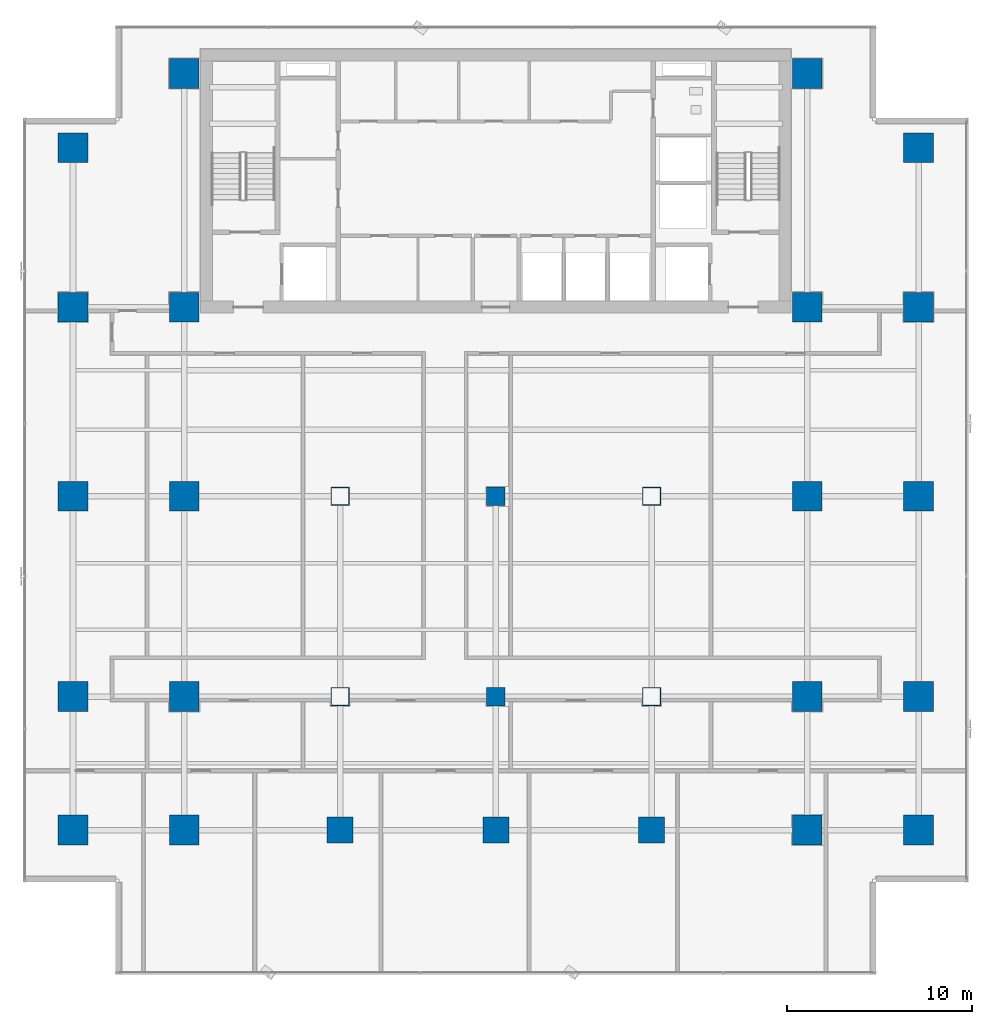
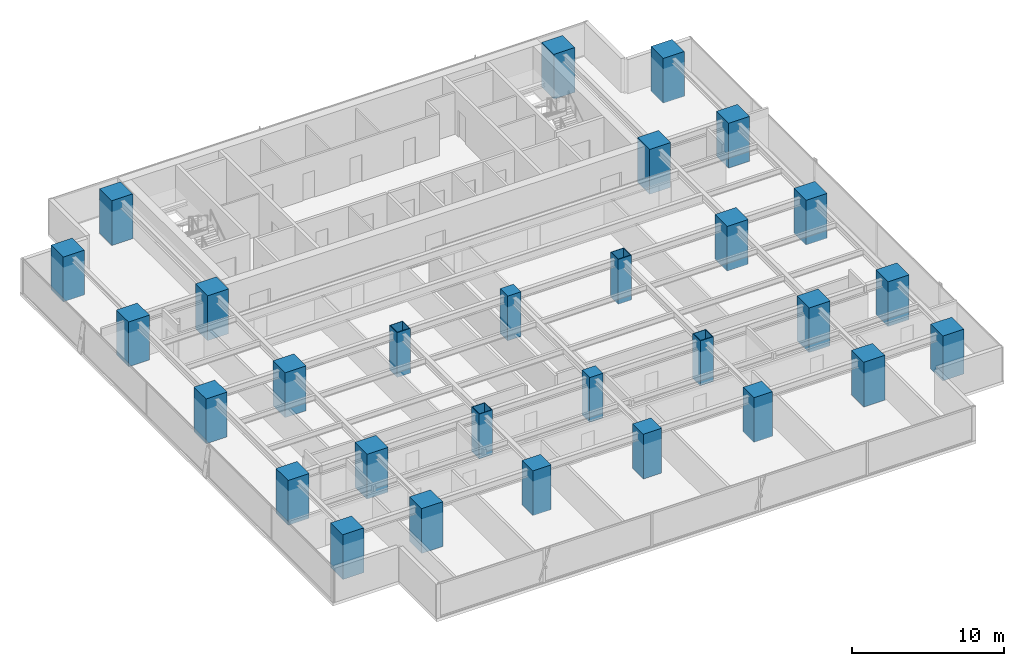
# One storey, part 1 of 36: 29 columns.
"""IFC4 building model written with IfcOpenShell, lengths in metres."""

import ifcopenshell
import ifcopenshell.guid

model = None  # the IFC model being written
_history = None  # IfcOwnerHistory: only IFC2X3 demands one
_inside = {}  # id of a spatial element -> (the spatial element, [elements in it])
_under = {}  # id of a project, library or spatial element -> (it, [spatial elements below it])
_declared = {}  # id of a project -> (the project, [libraries it declares])
_typed = {}  # id of a type object -> (the type object, [elements of that type])
_made_of = {}  # id of a material, layer set ... -> (it, [elements and type objects made of it])


def new_model(schema):
    """Start an empty IFC model of exactly this schema.

    Asked for "IFC4X3", IfcOpenShell would pick the latest addendum, in which some entities
    have other attributes; the version numbers below select the first issue.
    IFC2X3 requires an IfcOwnerHistory on every rooted entity: one is made here for all.
    """
    global model, _history
    if schema == "IFC4X3":
        model = ifcopenshell.file(schema_version=(4, 3, 0, 0))
    else:
        model = ifcopenshell.file(schema=schema)
    _inside.clear()
    _under.clear()
    _declared.clear()
    _typed.clear()
    _made_of.clear()
    _history = None
    if model.schema == "IFC2X3":
        org = make("IfcOrganization", Name="unknown")
        user = make(
            "IfcPersonAndOrganization",
            ThePerson=make("IfcPerson", FamilyName="unknown"),
            TheOrganization=org,
        )
        app = make(
            "IfcApplication",
            ApplicationDeveloper=org,
            Version="unknown",
            ApplicationFullName="unknown",
            ApplicationIdentifier="unknown",
        )
        _history = make(
            "IfcOwnerHistory",
            OwningUser=user,
            OwningApplication=app,
            ChangeAction="ADDED",
            CreationDate=0,
        )
    return model


def make(cls, **values):
    """One entity of the class cls with the attributes given. An attribute that is None is left unset."""
    return model.create_entity(
        cls, **{name: value for name, value in values.items() if value is not None}
    )


def rooted(cls, **values):
    """An entity with a GlobalId (a new one), such as an element, a storey or a relation."""
    return make(cls, GlobalId=ifcopenshell.guid.new(), OwnerHistory=_history, **values)


def si_unit(unit_type, name, prefix=None):
    """IfcSIUnit, for example si_unit("LENGTHUNIT", "METRE", prefix="MILLI")."""
    return make("IfcSIUnit", UnitType=unit_type, Prefix=prefix, Name=name)


def assignment(units):
    """IfcUnitAssignment: the units of a project."""
    return None if units is None else make("IfcUnitAssignment", Units=units)


def point(xyz):
    """IfcCartesianPoint."""
    return None if xyz is None else make("IfcCartesianPoint", Coordinates=xyz)


def direction(xyz):
    """IfcDirection."""
    return None if xyz is None else make("IfcDirection", DirectionRatios=xyz)


def frame(location, z_axis=None, x_axis=None):
    """IfcAxis2Placement3D, a coordinate frame: its origin and axes. An axis left out is left unset."""
    return make(
        "IfcAxis2Placement3D",
        Location=point(location),
        Axis=direction(z_axis),
        RefDirection=direction(x_axis),
    )


def frame_2d(location, x_axis=None):
    """IfcAxis2Placement2D, a coordinate frame in the plane: its origin and x axis."""
    return make(
        "IfcAxis2Placement2D", Location=point(location), RefDirection=direction(x_axis)
    )


def origin():
    """The frame at (0, 0, 0) with its axes left unset."""
    return frame((0.0, 0.0, 0.0))


def origin_2d():
    """The frame at (0, 0) in the plane with its x axis left unset."""
    return frame_2d((0.0, 0.0))


def place(relative_to, where):
    """IfcLocalPlacement: puts the frame where relative to a parent placement (None: the world)."""
    return make(
        "IfcLocalPlacement", PlacementRelTo=relative_to, RelativePlacement=where
    )


def context(
    kind, dimensions, precision=None, world=None, true_north=None, identifier=None
):
    """IfcGeometricRepresentationContext, for example the 3D "Model" context."""
    return make(
        "IfcGeometricRepresentationContext",
        ContextIdentifier=identifier,
        ContextType=kind,
        CoordinateSpaceDimension=dimensions,
        Precision=precision,
        WorldCoordinateSystem=world,
        TrueNorth=true_north,
    )


def subcontext(parent, identifier, kind, view, scale=None):
    """IfcGeometricRepresentationSubContext, for example "Body" below "Model"."""
    return make(
        "IfcGeometricRepresentationSubContext",
        ContextIdentifier=identifier,
        ContextType=kind,
        ParentContext=parent,
        TargetScale=scale,
        TargetView=view,
    )


def project(units=None, contexts=None):
    """IfcProject with its units and contexts."""
    return rooted(
        "IfcProject",
        Name="project",
        RepresentationContexts=contexts,
        UnitsInContext=assignment(units),
    )


def spatial(cls, under=None, at=None, **own):
    """A site, building, storey or space (cls), placed at a placement, below another one or the project."""
    s = rooted(cls, ObjectPlacement=at, **own)
    if under is not None:
        _under.setdefault(under.id(), (under, []))[1].append(s)
    return s


def profile(cls, at=None, kind="AREA", **sizes):
    """A parametric profile (cls). Its sizes go by their IFC names, for example OverallWidth=200.0."""
    return make(cls, ProfileType=kind, Position=at, **sizes)


def rectangle(**sizes):
    """IfcRectangleProfileDef."""
    return profile("IfcRectangleProfileDef", **sizes)


def hollow_rectangle(**sizes):
    """IfcRectangleHollowProfileDef."""
    return profile("IfcRectangleHollowProfileDef", **sizes)


def extrude(swept, where, along, depth):
    """IfcExtrudedAreaSolid: the profile swept, set in the frame where, extruded along a direction by depth."""
    return make(
        "IfcExtrudedAreaSolid",
        SweptArea=swept,
        Position=where,
        ExtrudedDirection=direction(along),
        Depth=depth,
    )


def shape(context_of_items, identifier, shape_type, items):
    """IfcShapeRepresentation: the items that make up one representation, for example the "Body"."""
    return make(
        "IfcShapeRepresentation",
        ContextOfItems=context_of_items,
        RepresentationIdentifier=identifier,
        RepresentationType=shape_type,
        Items=items,
    )


def source(mapping_origin, context_of_items, identifier, shape_type, items):
    """IfcRepresentationMap: a shape defined once, which mapped items show again and again."""
    return make(
        "IfcRepresentationMap",
        MappingOrigin=mapping_origin,
        MappedRepresentation=shape(context_of_items, identifier, shape_type, items),
    )


def transform(
    local_origin,
    x_axis=None,
    y_axis=None,
    z_axis=None,
    scale=None,
    scale2=None,
    scale3=None,
    uniform=True,
):
    """IfcCartesianTransformationOperator3D, or its non-uniform kind. x_axis, y_axis, z_axis: its Axis1, 2, 3."""
    if uniform:
        return make(
            "IfcCartesianTransformationOperator3D",
            Axis1=direction(x_axis),
            Axis2=direction(y_axis),
            LocalOrigin=point(local_origin),
            Scale=scale,
            Axis3=direction(z_axis),
        )
    return make(
        "IfcCartesianTransformationOperator3DnonUniform",
        Axis1=direction(x_axis),
        Axis2=direction(y_axis),
        LocalOrigin=point(local_origin),
        Scale=scale,
        Axis3=direction(z_axis),
        Scale2=scale2,
        Scale3=scale3,
    )


def mapped(mapping_source, mapping_target):
    """IfcMappedItem: shows the shape of a source again, moved by a transform."""
    return make(
        "IfcMappedItem", MappingSource=mapping_source, MappingTarget=mapping_target
    )


def material(Name=None, Category=None):
    """IfcMaterial."""
    return make("IfcMaterial", Name=Name, Category=Category)


def material_profile(
    of_material, cross_section, Name=None, Category=None, Priority=None
):
    """IfcMaterialProfile: a cross section and its material."""
    return make(
        "IfcMaterialProfile",
        Name=Name,
        Material=of_material,
        Profile=cross_section,
        Priority=Priority,
        Category=Category,
    )


def profile_set(profiles, Name=None, composite=None):
    """IfcMaterialProfileSet."""
    return make(
        "IfcMaterialProfileSet",
        Name=Name,
        MaterialProfiles=profiles,
        CompositeProfile=composite,
    )


def made_of(thing, what):
    """Note that an element or type object is made of a material, layer set ...; save() writes the relation."""
    if what is not None:
        _made_of.setdefault(what.id(), (what, []))[1].append(thing)
    return thing


def type_object(cls, material=None, **own):
    """A type object (cls), such as IfcWallType, which elements share."""
    return made_of(rooted(cls, **own), material)


def element(
    cls,
    number,
    at=None,
    inside=None,
    cuts=None,
    type_object=None,
    material=None,
    context=None,
    identifier="Body",
    shape_type=None,
    held_by="IfcProductDefinitionShape",
    body=None,
    shapes=None,
    **own,
):
    """One element of the class cls, such as IfcWall. Its Tag is "e" and its number.

    at: its placement. inside: the storey or other place that contains it. cuts: it is an
    opening in that element (IfcRelVoidsElement). A single representation is given by context,
    identifier, shape_type and body (its items); several are given by shapes. held_by: the class
    of the entity that holds the representations. save() writes the other relations.
    """
    e = rooted(cls, Tag="e%d" % number, ObjectPlacement=at, **own)
    if body is not None:
        shapes = [shape(context, identifier, shape_type, body)]
    if shapes is not None:
        e.Representation = make(held_by, Representations=shapes)
    if inside is not None:
        _inside.setdefault(inside.id(), (inside, []))[1].append(e)
    if cuts is not None:
        rooted(
            "IfcRelVoidsElement", RelatingBuildingElement=cuts, RelatedOpeningElement=e
        )
    if type_object is not None:
        _typed.setdefault(type_object.id(), (type_object, []))[1].append(e)
    return made_of(e, material)


def aggregate(whole, parts):
    """IfcRelAggregates: a whole, such as a stair, and the parts it consists of."""
    return rooted("IfcRelAggregates", RelatingObject=whole, RelatedObjects=parts)


def save(model, path):
    """Write the relations noted so far, then the file.

    IfcRelAggregates (storeys below a building ...), IfcRelContainedInSpatialStructure (elements
    in a storey), IfcRelDefinesByType, IfcRelAssociatesMaterial and IfcRelDeclares: one each for
    every whole, place, type object, material and project.
    """
    for whole, parts in _under.values():
        aggregate(whole, parts)
    for where, things in _inside.values():
        rooted(
            "IfcRelContainedInSpatialStructure",
            RelatedElements=things,
            RelatingStructure=where,
        )
    for kind, things in _typed.values():
        rooted("IfcRelDefinesByType", RelatedObjects=things, RelatingType=kind)
    for what, things in _made_of.values():
        rooted("IfcRelAssociatesMaterial", RelatedObjects=things, RelatingMaterial=what)
    for by, libraries in _declared.values():
        rooted("IfcRelDeclares", RelatingContext=by, RelatedDefinitions=libraries)
    model.write(path)


model = new_model("IFC4")

# Units and contexts
model_context = context("Model", 3, precision=1e-05, world=origin(), true_north=direction((0.0, 1.0)))
body_context = subcontext(model_context, "Body", "Model", "MODEL_VIEW")
ifc_project = project(units=[si_unit("LENGTHUNIT", "METRE"), si_unit("AREAUNIT", "SQUARE_METRE"), si_unit("VOLUMEUNIT", "CUBIC_METRE"), si_unit("PLANEANGLEUNIT", "RADIAN"), si_unit("MASSUNIT", "GRAM", prefix="KILO")], contexts=[model_context])

# Site, building, storey
site_placement = place(None, origin())
site = spatial("IfcSite", under=ifc_project, at=site_placement, CompositionType="ELEMENT")
building_placement = place(site_placement, origin())
building = spatial("IfcBuilding", under=site, at=building_placement, Name="Sumidabori Civic Tower", CompositionType="ELEMENT")
storey_placement = place(building_placement, frame((0.0, 0.0, 113.60009765625)))
storey = spatial("IfcBuildingStorey", under=building, at=storey_placement, Name="L29", CompositionType="ELEMENT", Elevation=113.60009765625)

# Columns
ifc_material_1 = material(Name="Concrete C60/75", Category="concrete")
ifc_material_profile_1 = material_profile(ifc_material_1, rectangle(XDim=1.60009765625, YDim=1.60009765625, at=origin_2d()), Name="RC 1600x1600")
ifc_profile_set_1 = profile_set([ifc_material_profile_1], Name="Concrete C60/75")
column_type_1 = type_object("IfcColumnType", Name="CL-MEGA-1600", PredefinedType="COLUMN", material=ifc_profile_set_1)
shared_shape_1 = source(origin(), body_context, "Body", "SweptSolid", [
    extrude(rectangle(XDim=1.60009765625, YDim=1.60009765625, at=origin_2d()), origin(), (0.0, 0.0, 1.0), 3.599853515625),
])
for number, where, z_axis, x_axis, name in (
    (1, (-16.800048828125, -18.0, 0.0), (0.0, 0.0, 1.0), (1.0, 0.0, 0.0), "Column MC-W16-Y18S L29"),
    (2, (-16.800048828125, -10.800048828125, 0.0), (0.0, 0.0, 1.0), (1.0, 0.0, 0.0), "Column MC-W16-Y11S L29"),
    (3, (-16.800048828125, 0.0, 0.0), (0.0, 0.0, 1.0), (1.0, 0.0, 0.0), "Column MC-W16-Y00 L29"),
    (4, (-16.800048828125, 10.199951171875, 0.0), (0.0, 0.0, 1.0), (1.0, 0.0, 0.0), "Column MC-W16-Y10N L29"),
    (5, (-16.800048828125, 22.800048828125, 0.0), (0.0, 0.0, 1.0), (1.0, 0.0, 0.0), "Column MC-W16-Y23N L29"),
    (6, (16.800048828125, -18.0, 0.0), (0.0, 0.0, 1.0), (1.0, 0.0, 0.0), "Column MC-E16-Y18S L29"),
    (7, (16.800048828125, -10.800048828125, 0.0), (0.0, 0.0, 1.0), (1.0, 0.0, 0.0), "Column MC-E16-Y11S L29"),
    (8, (16.800048828125, 0.0, 0.0), (0.0, 0.0, 1.0), (1.0, 0.0, 0.0), "Column MC-E16-Y00 L29"),
    (9, (16.800048828125, 10.199951171875, 0.0), (0.0, 0.0, 1.0), (1.0, 0.0, 0.0), "Column MC-E16-Y10N L29"),
    (10, (16.800048828125, 22.800048828125, 0.0), (0.0, 0.0, 1.0), (1.0, 0.0, 0.0), "Column MC-E16-Y23N L29"),
    (11, (-22.800048828125, -18.0, 0.0), (0.0, 0.0, 1.0), (1.0, 0.0, 0.0), "Column MC-W23-Y18S L29"),
    (12, (-22.800048828125, -10.800048828125, 0.0), (0.0, 0.0, 1.0), (1.0, 0.0, 0.0), "Column MC-W23-Y11S L29"),
    (13, (-22.800048828125, 0.0, 0.0), (0.0, 0.0, 1.0), (1.0, 0.0, 0.0), "Column MC-W23-Y00 L29"),
    (14, (-22.800048828125, 10.199951171875, 0.0), (0.0, 0.0, 1.0), (1.0, 0.0, 0.0), "Column MC-W23-Y10N L29"),
    (15, (-22.800048828125, 18.800048828125, 0.0), (0.0, 0.0, 1.0), (1.0, 0.0, 0.0), "Column MC-W23-Y19N L29"),
    (16, (22.800048828125, -18.0, 0.0), (0.0, 0.0, 1.0), (1.0, 0.0, 0.0), "Column MC-E23-Y18S L29"),
    (17, (22.800048828125, -10.800048828125, 0.0), (0.0, 0.0, 1.0), (1.0, 0.0, 0.0), "Column MC-E23-Y11S L29"),
    (18, (22.800048828125, 0.0, 0.0), (0.0, 0.0, 1.0), (1.0, 0.0, 0.0), "Column MC-E23-Y00 L29"),
    (19, (22.800048828125, 10.199951171875, 0.0), (0.0, 0.0, 1.0), (1.0, 0.0, 0.0), "Column MC-E23-Y10N L29"),
    (20, (22.800048828125, 18.800048828125, 0.0), (0.0, 0.0, 1.0), (1.0, 0.0, 0.0), "Column MC-E23-Y19N L29"),
):
    element("IfcColumn", number, at=place(storey_placement, frame(where, z_axis=z_axis, x_axis=x_axis)), inside=storey, type_object=column_type_1, Name=name, PredefinedType="COLUMN", context=body_context, shape_type="MappedRepresentation", body=[
        mapped(shared_shape_1, transform((0.0, 0.0, 0.0), x_axis=(1.0, 0.0, 0.0), y_axis=(0.0, 1.0, 0.0), z_axis=(0.0, 0.0, 1.0), scale=1.0)),
    ])
ifc_material_2 = material(Name="Steel SM570", Category="steel")
ifc_material_profile_2 = material_profile(ifc_material_2, hollow_rectangle(XDim=1.0, YDim=1.0, WallThickness=0.044921875, at=origin_2d()), Name="SHS 1000x1000x45")
ifc_profile_set_2 = profile_set([ifc_material_profile_2], Name="Steel SM570")
column_type_2 = type_object("IfcColumnType", Name="CL-PORTAL-SHS1000", PredefinedType="COLUMN", material=ifc_profile_set_2)
shared_shape_2 = source(origin(), body_context, "Body", "SweptSolid", [
    extrude(hollow_rectangle(XDim=1.0, YDim=1.0, WallThickness=0.044921875, at=origin_2d()), origin(), (0.0, 0.0, 1.0), 3.599853515625),
])
for number, where, z_axis, x_axis, name in (
    (21, (-8.39990234375, 0.0, 0.0), (0.0, 0.0, 1.0), (1.0, 0.0, 0.0), "Column MC-W08-Y00 L29"),
    (22, (-8.39990234375, -10.800048828125, 0.0), (0.0, 0.0, 1.0), (1.0, 0.0, 0.0), "Column MC-W08-Y11S L29"),
    (23, (8.39990234375, 0.0, 0.0), (0.0, 0.0, 1.0), (1.0, 0.0, 0.0), "Column MC-E08-Y00 L29"),
    (24, (8.39990234375, -10.800048828125, 0.0), (0.0, 0.0, 1.0), (1.0, 0.0, 0.0), "Column MC-E08-Y11S L29"),
):
    element("IfcColumn", number, at=place(storey_placement, frame(where, z_axis=z_axis, x_axis=x_axis)), inside=storey, type_object=column_type_2, Name=name, PredefinedType="COLUMN", context=body_context, shape_type="MappedRepresentation", body=[
        mapped(shared_shape_2, transform((0.0, 0.0, 0.0), x_axis=(1.0, 0.0, 0.0), y_axis=(0.0, 1.0, 0.0), z_axis=(0.0, 0.0, 1.0), scale=1.0)),
    ])
ifc_material_profile_3 = material_profile(ifc_material_1, rectangle(XDim=1.39990234375, YDim=1.39990234375, at=origin_2d()), Name="RC 1400x1400")
ifc_profile_set_3 = profile_set([ifc_material_profile_3], Name="Concrete C60/75")
column_type_3 = type_object("IfcColumnType", Name="CL-MEGA-1400", PredefinedType="COLUMN", material=ifc_profile_set_3)
shared_shape_3 = source(origin(), body_context, "Body", "SweptSolid", [
    extrude(rectangle(XDim=1.39990234375, YDim=1.39990234375, at=origin_2d()), origin(), (0.0, 0.0, 1.0), 3.599853515625),
])
for number, where, z_axis, x_axis, name in (
    (25, (-8.39990234375, -18.0, 0.0), (0.0, 0.0, 1.0), (1.0, 0.0, 0.0), "Column MC-W08-Y18S L29"),
    (26, (8.39990234375, -18.0, 0.0), (0.0, 0.0, 1.0), (1.0, 0.0, 0.0), "Column MC-E08-Y18S L29"),
    (27, (0.0, -18.0, 0.0), (0.0, 0.0, 1.0), (1.0, 0.0, 0.0), "Column MC-C00-Y18S L29"),
):
    element("IfcColumn", number, at=place(storey_placement, frame(where, z_axis=z_axis, x_axis=x_axis)), inside=storey, type_object=column_type_3, Name=name, PredefinedType="COLUMN", context=body_context, shape_type="MappedRepresentation", body=[
        mapped(shared_shape_3, transform((0.0, 0.0, 0.0), x_axis=(1.0, 0.0, 0.0), y_axis=(0.0, 1.0, 0.0), z_axis=(0.0, 0.0, 1.0), scale=1.0)),
    ])
ifc_material_3 = material(Name="Concrete C50/60", Category="concrete")
ifc_material_profile_4 = material_profile(ifc_material_3, rectangle(XDim=1.0, YDim=1.0, at=origin_2d()), Name="RC 1000x1000")
ifc_profile_set_4 = profile_set([ifc_material_profile_4], Name="Concrete C50/60")
column_type_4 = type_object("IfcColumnType", Name="CL-INT-1000", PredefinedType="COLUMN", material=ifc_profile_set_4)
shared_shape_4 = source(origin(), body_context, "Body", "SweptSolid", [
    extrude(rectangle(XDim=1.0, YDim=1.0, at=origin_2d()), origin(), (0.0, 0.0, 1.0), 3.599853515625),
])
for number, where, z_axis, x_axis, name in (
    (28, (0.0, -10.800048828125, 0.0), (0.0, 0.0, 1.0), (1.0, 0.0, 0.0), "Column MC-C00-Y11S L29"),
    (29, (0.0, 0.0, 0.0), (0.0, 0.0, 1.0), (1.0, 0.0, 0.0), "Column MC-C00-Y00 L29"),
):
    element("IfcColumn", number, at=place(storey_placement, frame(where, z_axis=z_axis, x_axis=x_axis)), inside=storey, type_object=column_type_4, Name=name, PredefinedType="COLUMN", context=body_context, shape_type="MappedRepresentation", body=[
        mapped(shared_shape_4, transform((0.0, 0.0, 0.0), x_axis=(1.0, 0.0, 0.0), y_axis=(0.0, 1.0, 0.0), z_axis=(0.0, 0.0, 1.0), scale=1.0)),
    ])

save(model, "model.ifc")
